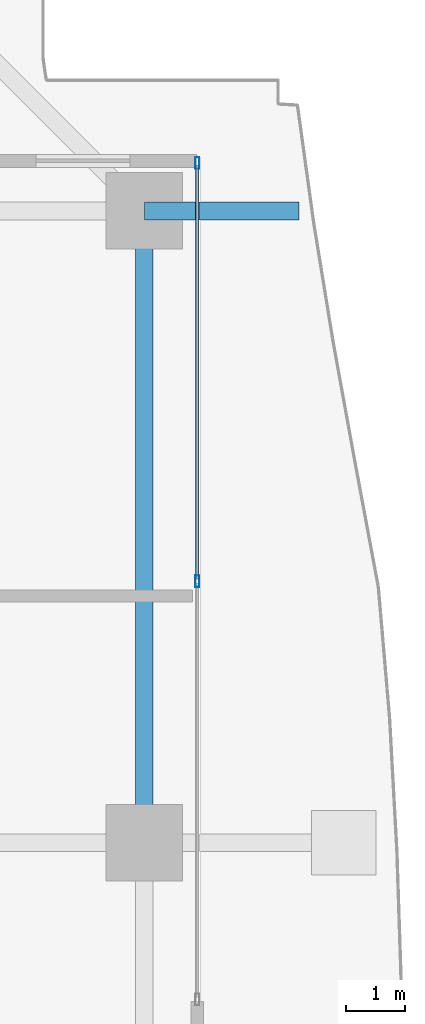
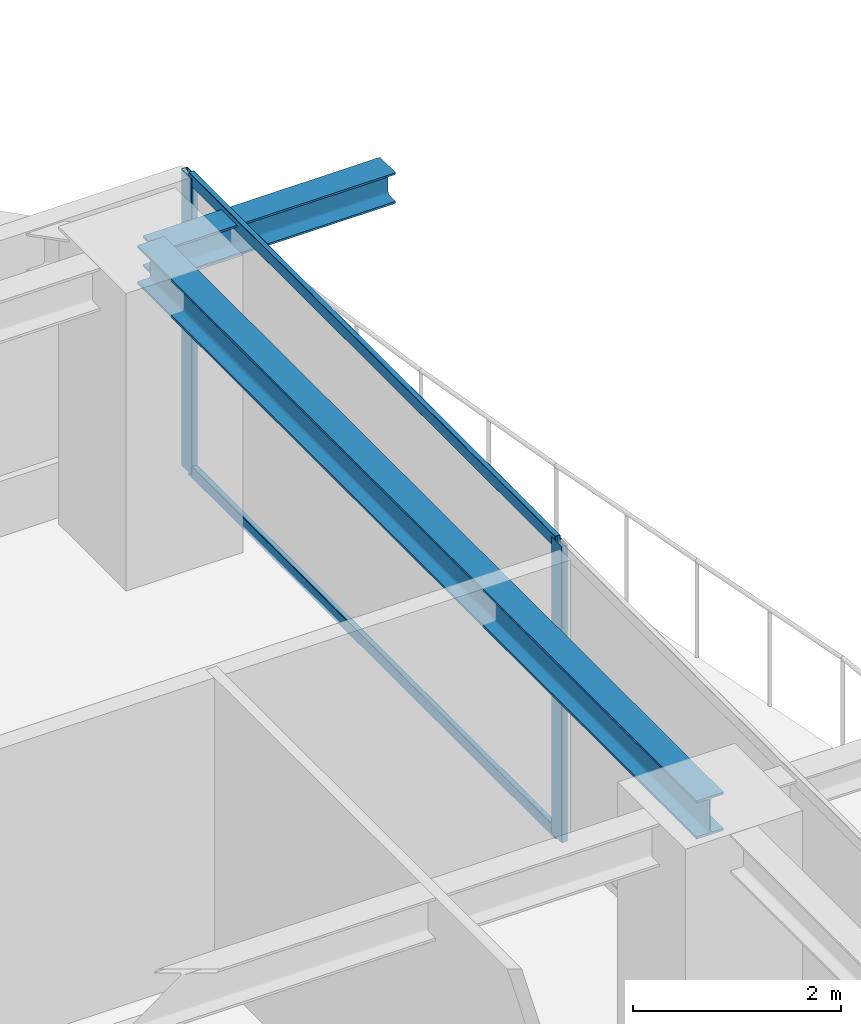
# One storey, part 23 of 36: 4 members, 2 beams, 1 element without a shape of its own.
"""IFC4 building model written with IfcOpenShell, lengths in metres."""

from ifc_helpers import new_model, si_unit, direction, frame, origin, origin_2d, place, context, subcontext, project, spatial, hollow_rectangle, i_section, extrude, source, transform, mapped, material, layer, layer_set, material_profile, profile_set, type_object, element, aggregate, save


model = new_model("IFC4")

# Units and contexts
model_context = context("Model", 3, precision=1e-05, world=origin(), true_north=direction((0.0, 1.0)))
body_context = subcontext(model_context, "Body", "Model", "MODEL_VIEW")
ifc_project = project(units=[si_unit("LENGTHUNIT", "METRE"), si_unit("AREAUNIT", "SQUARE_METRE"), si_unit("VOLUMEUNIT", "CUBIC_METRE"), si_unit("PLANEANGLEUNIT", "RADIAN"), si_unit("MASSUNIT", "GRAM", prefix="KILO")], contexts=[model_context])

# Site, building, storey
site_placement = place(None, origin())
site = spatial("IfcSite", under=ifc_project, at=site_placement, CompositionType="ELEMENT")
building_placement = place(site_placement, origin())
building = spatial("IfcBuilding", under=site, at=building_placement, Name="Serunith Strait Residences", CompositionType="ELEMENT")
storey_placement = place(building_placement, frame((0.0, 0.0, 146.39990234375)))
storey = spatial("IfcBuildingStorey", under=building, at=storey_placement, Name="L36", CompositionType="ELEMENT", Elevation=146.39990234375)

# Beams
ifc_material_1 = material(Name="Steel S355J2", Category="steel")
ifc_material_profile_1 = material_profile(ifc_material_1, i_section(OverallWidth=0.300048828125, OverallDepth=0.449951171875, WebThickness=0.013916015625, FlangeThickness=0.02587890625, FilletRadius=0.027099609375, at=origin_2d()), Name="HEB 450")
ifc_profile_set_1 = profile_set([ifc_material_profile_1], Name="Steel S355J2")
beam_type_1 = type_object("IfcBeamType", Name="BM-HEB450", PredefinedType="BEAM", material=ifc_profile_set_1)
shared_shape_1 = source(origin(), body_context, "Body", "SweptSolid", [
    extrude(i_section(OverallWidth=0.300048828125, OverallDepth=0.449951171875, WebThickness=0.013916015625, FlangeThickness=0.02587890625, FilletRadius=0.027099609375, at=origin_2d()), origin(), (0.0, 0.0, 1.0), 10.75),
])
beam_1_placement = place(storey_placement, frame((56.10009765625, 29.39990234375, 3.26220703125), z_axis=(0.0, 1.0, 0.0), x_axis=(-1.0, 0.0, 0.0)))
element("IfcBeam", 1, at=beam_1_placement, inside=storey, type_object=beam_type_1, Name="L36 Perimeter Ring Beam 07", PredefinedType="BEAM", context=body_context, shape_type="MappedRepresentation", body=[
    mapped(shared_shape_1, transform((0.0, 0.0, 0.0), scale=1.0)),
])
ifc_material_profile_2 = material_profile(ifc_material_1, i_section(OverallWidth=0.300048828125, OverallDepth=0.360107421875, WebThickness=0.012451171875, FlangeThickness=0.0224609375, FilletRadius=0.027099609375, at=origin_2d()), Name="HEB 360")
ifc_profile_set_2 = profile_set([ifc_material_profile_2], Name="Steel S355J2")
beam_type_2 = type_object("IfcBeamType", Name="BM-HEB360", PredefinedType="BEAM", material=ifc_profile_set_2)
shared_shape_2 = source(origin(), body_context, "Body", "SweptSolid", [
    extrude(i_section(OverallWidth=0.300048828125, OverallDepth=0.360107421875, WebThickness=0.012451171875, FlangeThickness=0.0224609375, FilletRadius=0.027099609375, at=origin_2d()), origin(), (0.0, 0.0, 1.0), 2.631103515625),
])
beam_2_placement = place(storey_placement, frame((56.10009765625, 40.14990234375, 3.277099609375), z_axis=(1.0, 0.0, 0.0), x_axis=(0.0, 1.0, 0.0)))
element("IfcBeam", 2, at=beam_2_placement, inside=storey, type_object=beam_type_2, Name="L37 Cantilevered Balcony Rib TC-E4", PredefinedType="BEAM", context=body_context, shape_type="MappedRepresentation", body=[
    mapped(shared_shape_2, transform((0.0, 0.0, 0.0), scale=1.0)),
])

# Curtain wall, members
ifc_material_2 = material(Name="Pale-Champagne Anodised Aluminium", Category="aluminium")
ifc_layer = layer(ifc_material_2, 0.199951171875, Name="Pale-Champagne Anodised Aluminium")
ifc_layer_set = layer_set([ifc_layer], Name="Pale-Champagne Anodised Aluminium")
curtain_wall_type = type_object("IfcCurtainWallType", Name="CW-SYS2", PredefinedType="NOTDEFINED", material=ifc_layer_set)
curtain_wall_placement = place(storey_placement, origin())
curtain_wall = element("IfcCurtainWall", 3, at=curtain_wall_placement, inside=storey, type_object=curtain_wall_type, Name="L36 E Unitised Fritted Curtain Wall", PredefinedType="NOTDEFINED")
ifc_material_profile_3 = material_profile(ifc_material_2, hollow_rectangle(XDim=0.070068359375, YDim=0.199951171875, WallThickness=0.00390625, InnerFilletRadius=0.006103515625, OuterFilletRadius=0.010009765625, at=origin_2d()), Name="ALU 200x70x4")
ifc_profile_set_3 = profile_set([ifc_material_profile_3], Name="Pale-Champagne Anodised Aluminium")
member_type_1 = type_object("IfcMemberType", Name="CW-SYS2-MULL", PredefinedType="MULLION", material=ifc_profile_set_3)
shared_shape_3 = source(origin(), body_context, "Body", "SweptSolid", [
    extrude(hollow_rectangle(XDim=0.070068359375, YDim=0.199951171875, WallThickness=0.00390625, InnerFilletRadius=0.006103515625, OuterFilletRadius=0.010009765625, at=origin_2d()), origin(), (0.0, 0.0, 1.0), 3.47509765625),
])
member_1_placement = place(storey_placement, frame((57.0, 33.85009765625, 0.0), z_axis=(0.0, 0.0, 1.0), x_axis=(-1.0, 0.0, 0.0)))
member_1 = element("IfcMember", 4, at=member_1_placement, type_object=member_type_1, Name="CW-2 mullion 2", PredefinedType="MULLION", context=body_context, shape_type="MappedRepresentation", body=[
    mapped(shared_shape_3, transform((0.0, 0.0, 0.0), scale=1.0)),
])
member_2_placement = place(storey_placement, frame((57.0, 40.965087890625, 0.0), z_axis=(0.0, 0.0, 1.0), x_axis=(-1.0, 0.0, 0.0)))
member_2 = element("IfcMember", 5, at=member_2_placement, type_object=member_type_1, Name="CW-2 mullion 3", PredefinedType="MULLION", context=body_context, shape_type="MappedRepresentation", body=[
    mapped(shared_shape_3, transform((0.0, 0.0, 0.0), scale=1.0)),
])
ifc_material_profile_4 = material_profile(ifc_material_2, hollow_rectangle(XDim=0.06005859375, YDim=0.139892578125, WallThickness=0.00341796875, InnerFilletRadius=0.00537109375, OuterFilletRadius=0.0087890625, at=origin_2d()), Name="ALU 140x60x3.5")
ifc_profile_set_4 = profile_set([ifc_material_profile_4], Name="Pale-Champagne Anodised Aluminium")
member_type_2 = type_object("IfcMemberType", Name="CW-SYS2-TRAN", PredefinedType="USERDEFINED", material=ifc_profile_set_4)
shared_shape_4 = source(origin(), body_context, "Body", "SweptSolid", [
    extrude(hollow_rectangle(XDim=0.06005859375, YDim=0.139892578125, WallThickness=0.00341796875, InnerFilletRadius=0.00537109375, OuterFilletRadius=0.0087890625, at=origin_2d()), origin(), (0.0, 0.0, 1.0), 7.044921875),
])
member_3_placement = place(storey_placement, frame((57.0, 33.885009765625, 0.030029296875), z_axis=(0.0, 1.0, 0.0), x_axis=(-1.0, 0.0, 0.0)))
member_3 = element("IfcMember", 6, at=member_3_placement, type_object=member_type_2, Name="CW-2 transom 2.1", ObjectType="TRANSOM", PredefinedType="USERDEFINED", context=body_context, shape_type="MappedRepresentation", body=[
    mapped(shared_shape_4, transform((0.0, 0.0, 0.0), scale=1.0)),
])
member_4_placement = place(storey_placement, frame((57.0, 33.885009765625, 3.445068359375), z_axis=(0.0, 1.0, 0.0), x_axis=(-1.0, 0.0, 0.0)))
member_4 = element("IfcMember", 7, at=member_4_placement, type_object=member_type_2, Name="CW-2 transom 2.2", ObjectType="TRANSOM", PredefinedType="USERDEFINED", context=body_context, shape_type="MappedRepresentation", body=[
    mapped(shared_shape_4, transform((0.0, 0.0, 0.0), scale=1.0)),
])
aggregate(curtain_wall, [member_1, member_2, member_3, member_4])

save(model, "model.ifc")
